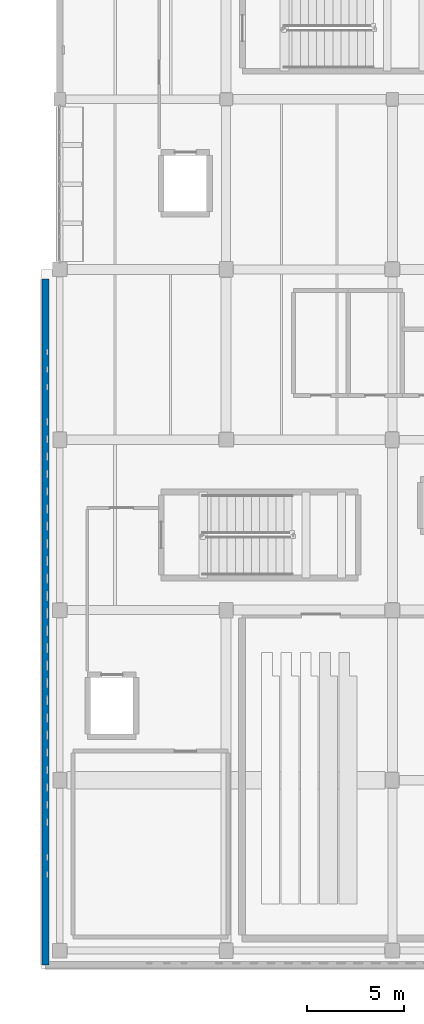
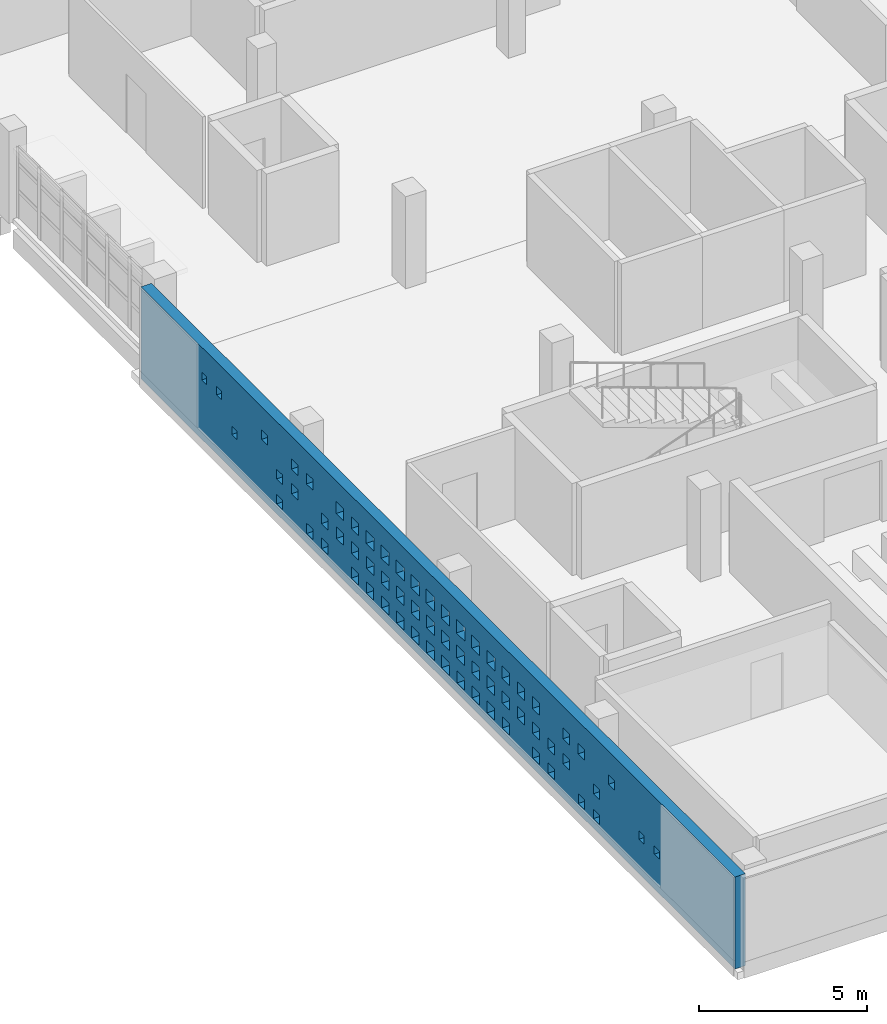
# One storey, part 75 of 93: 1 wall, 63 openings.
"""IFC4 building model written with IfcOpenShell, lengths in metres."""

from ifc_helpers import new_model, si_unit, direction, frame, frame_2d, origin, place, context, subcontext, project, spatial, rectangle, extrude, material, layer, layer_set, type_object, element, save


model = new_model("IFC4")

# Units and contexts
model_context = context("Model", 3, precision=1e-05, world=origin(), true_north=direction((0.0, 1.0)))
body_context = subcontext(model_context, "Body", "Model", "MODEL_VIEW")
ifc_project = project(units=[si_unit("LENGTHUNIT", "METRE"), si_unit("AREAUNIT", "SQUARE_METRE"), si_unit("VOLUMEUNIT", "CUBIC_METRE"), si_unit("PLANEANGLEUNIT", "RADIAN"), si_unit("MASSUNIT", "GRAM", prefix="KILO")], contexts=[model_context])

# Site, building, storey
site_placement = place(None, origin())
site = spatial("IfcSite", under=ifc_project, at=site_placement, CompositionType="ELEMENT")
building_placement = place(site_placement, origin())
building = spatial("IfcBuilding", under=site, at=building_placement, Name="Varnakota Cinema and Media Centre", CompositionType="ELEMENT")
storey_placement = place(building_placement, frame((0.0, 0.0, 12.0)))
storey = spatial("IfcBuildingStorey", under=building, at=storey_placement, Name="L03", CompositionType="ELEMENT", Elevation=12.0)

# Wall, openings
ifc_material = material(Name="Pale Tandur limestone cladding", Category="masonry")
ifc_layer = layer(ifc_material, 0.360107421875)
ifc_layer_set = layer_set([ifc_layer], Name="Pale Tandur limestone cladding")
wall_type = type_object("IfcWallType", Name="W-EXT-TANDUR-360", PredefinedType="SOLIDWALL", material=ifc_layer_set)
wall_placement = place(storey_placement, frame((-0.739990234375, -0.739990234375, 0.0), z_axis=(0.0, 0.0, 1.0), x_axis=(0.0, 1.0, 0.0)))
wall = element("IfcWall", 1, at=wall_placement, inside=storey, type_object=wall_type, Name="L03 V4 pale Tandur stone monolith wall V4-W", PredefinedType="SOLIDWALL", context=body_context, shape_type="SweptSolid", body=[
    extrude(rectangle(XDim=35.43994140625, YDim=0.360107421875, at=frame_2d((17.719970703125, 0.0))), origin(), (0.0, 0.0, 1.0), 3.35009765625),
])
opening_1_placement = place(wall_placement, frame((4.52001953125, 0.0, 1.260009765625)))
element("IfcOpeningElement", 2, at=opening_1_placement, cuts=wall, Name="Opening WP14", PredefinedType="OPENING", context=body_context, shape_type="SweptSolid", body=[
    extrude(rectangle(XDim=0.300048828125, YDim=0.300048828125, at=frame_2d((0.14990234375, 0.14990234375))), frame((0.0, 0.18017578125, 0.0), z_axis=(0.0, -1.0, 0.0), x_axis=(1.0, 0.0, 0.0)), (0.0, 0.0, 1.0), 0.360107421875),
])
opening_2_placement = place(wall_placement, frame((5.419921875, 0.0, 1.260009765625)))
element("IfcOpeningElement", 3, at=opening_2_placement, cuts=wall, Name="Opening WP14", PredefinedType="OPENING", context=body_context, shape_type="SweptSolid", body=[
    extrude(rectangle(XDim=0.300048828125, YDim=0.300048828125, at=frame_2d((0.14990234375, 0.14990234375))), frame((0.0, 0.18017578125, 0.0), z_axis=(0.0, -1.0, 0.0), x_axis=(1.0, 0.0, 0.0)), (0.0, 0.0, 1.0), 0.360107421875),
])
opening_3_placement = place(wall_placement, frame((7.199951171875, 0.0, 2.159912109375)))
element("IfcOpeningElement", 4, at=opening_3_placement, cuts=wall, Name="Opening WP12", PredefinedType="OPENING", context=body_context, shape_type="SweptSolid", body=[
    extrude(rectangle(XDim=0.340087890625, YDim=0.340087890625, at=frame_2d((0.169921875, 0.169921875))), frame((0.0, 0.18017578125, 0.0), z_axis=(0.0, -1.0, 0.0), x_axis=(1.0, 0.0, 0.0)), (0.0, 0.0, 1.0), 0.360107421875),
])
opening_4_placement = place(wall_placement, frame((8.10009765625, 0.0, 0.360107421875)))
element("IfcOpeningElement", 5, at=opening_4_placement, cuts=wall, Name="Opening WP12", PredefinedType="OPENING", context=body_context, shape_type="SweptSolid", body=[
    extrude(rectangle(XDim=0.340087890625, YDim=0.340087890625, at=frame_2d((0.169921875, 0.169921875))), frame((0.0, 0.18017578125, 0.0), z_axis=(0.0, -1.0, 0.0), x_axis=(1.0, 0.0, 0.0)), (0.0, 0.0, 1.0), 0.360107421875),
])
opening_5_placement = place(wall_placement, frame((8.090087890625, 0.0, 1.260009765625)))
element("IfcOpeningElement", 6, at=opening_5_placement, cuts=wall, Name="Opening WP11", PredefinedType="OPENING", context=body_context, shape_type="SweptSolid", body=[
    extrude(rectangle(XDim=0.360107421875, YDim=0.360107421875, at=frame_2d((0.18017578125, 0.18017578125))), frame((0.0, 0.18017578125, 0.0), z_axis=(0.0, -1.0, 0.0), x_axis=(1.0, 0.0, 0.0)), (0.0, 0.0, 1.0), 0.360107421875),
])
opening_6_placement = place(wall_placement, frame((8.989990234375, 0.0, 0.360107421875)))
element("IfcOpeningElement", 7, at=opening_6_placement, cuts=wall, Name="Opening WP11", PredefinedType="OPENING", context=body_context, shape_type="SweptSolid", body=[
    extrude(rectangle(XDim=0.360107421875, YDim=0.360107421875, at=frame_2d((0.18017578125, 0.18017578125))), frame((0.0, 0.18017578125, 0.0), z_axis=(0.0, -1.0, 0.0), x_axis=(1.0, 0.0, 0.0)), (0.0, 0.0, 1.0), 0.360107421875),
])
opening_7_placement = place(wall_placement, frame((8.97998046875, 0.0, 2.159912109375)))
element("IfcOpeningElement", 8, at=opening_7_placement, cuts=wall, Name="Opening WP10", PredefinedType="OPENING", context=body_context, shape_type="SweptSolid", body=[
    extrude(rectangle(XDim=0.3798828125, YDim=0.3798828125, at=frame_2d((0.18994140625, 0.18994140625))), frame((0.0, 0.18017578125, 0.0), z_axis=(0.0, -1.0, 0.0), x_axis=(1.0, 0.0, 0.0)), (0.0, 0.0, 1.0), 0.360107421875),
])
opening_8_placement = place(wall_placement, frame((9.8798828125, 0.0, 1.260009765625)))
element("IfcOpeningElement", 9, at=opening_8_placement, cuts=wall, Name="Opening WP10", PredefinedType="OPENING", context=body_context, shape_type="SweptSolid", body=[
    extrude(rectangle(XDim=0.3798828125, YDim=0.3798828125, at=frame_2d((0.18994140625, 0.18994140625))), frame((0.0, 0.18017578125, 0.0), z_axis=(0.0, -1.0, 0.0), x_axis=(1.0, 0.0, 0.0)), (0.0, 0.0, 1.0), 0.360107421875),
])
opening_9_placement = place(wall_placement, frame((9.8701171875, 0.0, 2.159912109375)))
element("IfcOpeningElement", 10, at=opening_9_placement, cuts=wall, Name="Opening WP09", PredefinedType="OPENING", context=body_context, shape_type="SweptSolid", body=[
    extrude(rectangle(XDim=0.39990234375, YDim=0.39990234375, at=frame_2d((0.199951171875, 0.199951171875))), frame((0.0, 0.18017578125, 0.0), z_axis=(0.0, -1.0, 0.0), x_axis=(1.0, 0.0, 0.0)), (0.0, 0.0, 1.0), 0.360107421875),
])
opening_10_placement = place(wall_placement, frame((10.780029296875, 0.0, 0.360107421875)))
element("IfcOpeningElement", 11, at=opening_10_placement, cuts=wall, Name="Opening WP10", PredefinedType="OPENING", context=body_context, shape_type="SweptSolid", body=[
    extrude(rectangle(XDim=0.3798828125, YDim=0.3798828125, at=frame_2d((0.18994140625, 0.18994140625))), frame((0.0, 0.18017578125, 0.0), z_axis=(0.0, -1.0, 0.0), x_axis=(1.0, 0.0, 0.0)), (0.0, 0.0, 1.0), 0.360107421875),
])
opening_11_placement = place(wall_placement, frame((10.77001953125, 0.0, 1.260009765625)))
element("IfcOpeningElement", 12, at=opening_11_placement, cuts=wall, Name="Opening WP09", PredefinedType="OPENING", context=body_context, shape_type="SweptSolid", body=[
    extrude(rectangle(XDim=0.39990234375, YDim=0.39990234375, at=frame_2d((0.199951171875, 0.199951171875))), frame((0.0, 0.18017578125, 0.0), z_axis=(0.0, -1.0, 0.0), x_axis=(1.0, 0.0, 0.0)), (0.0, 0.0, 1.0), 0.360107421875),
])
opening_12_placement = place(wall_placement, frame((11.669921875, 0.0, 0.360107421875)))
element("IfcOpeningElement", 13, at=opening_12_placement, cuts=wall, Name="Opening WP09", PredefinedType="OPENING", context=body_context, shape_type="SweptSolid", body=[
    extrude(rectangle(XDim=0.39990234375, YDim=0.39990234375, at=frame_2d((0.199951171875, 0.199951171875))), frame((0.0, 0.18017578125, 0.0), z_axis=(0.0, -1.0, 0.0), x_axis=(1.0, 0.0, 0.0)), (0.0, 0.0, 1.0), 0.360107421875),
])
opening_13_placement = place(wall_placement, frame((11.659912109375, 0.0, 1.260009765625)))
element("IfcOpeningElement", 14, at=opening_13_placement, cuts=wall, Name="Opening WP08", PredefinedType="OPENING", context=body_context, shape_type="SweptSolid", body=[
    extrude(rectangle(XDim=0.419921875, YDim=0.419921875, at=frame_2d((0.2099609375, 0.2099609375))), frame((0.0, 0.18017578125, 0.0), z_axis=(0.0, -1.0, 0.0), x_axis=(1.0, 0.0, 0.0)), (0.0, 0.0, 1.0), 0.360107421875),
])
opening_14_placement = place(wall_placement, frame((11.64990234375, 0.0, 2.159912109375)))
element("IfcOpeningElement", 15, at=opening_14_placement, cuts=wall, Name="Opening WP07", PredefinedType="OPENING", context=body_context, shape_type="SweptSolid", body=[
    extrude(rectangle(XDim=0.43994140625, YDim=0.43994140625, at=frame_2d((0.219970703125, 0.219970703125))), frame((0.0, 0.18017578125, 0.0), z_axis=(0.0, -1.0, 0.0), x_axis=(1.0, 0.0, 0.0)), (0.0, 0.0, 1.0), 0.360107421875),
])
opening_15_placement = place(wall_placement, frame((12.550048828125, 0.0, 1.260009765625)))
element("IfcOpeningElement", 16, at=opening_15_placement, cuts=wall, Name="Opening WP07", PredefinedType="OPENING", context=body_context, shape_type="SweptSolid", body=[
    extrude(rectangle(XDim=0.43994140625, YDim=0.43994140625, at=frame_2d((0.219970703125, 0.219970703125))), frame((0.0, 0.18017578125, 0.0), z_axis=(0.0, -1.0, 0.0), x_axis=(1.0, 0.0, 0.0)), (0.0, 0.0, 1.0), 0.360107421875),
])
opening_16_placement = place(wall_placement, frame((12.550048828125, 0.0, 2.159912109375)))
element("IfcOpeningElement", 17, at=opening_16_placement, cuts=wall, Name="Opening WP07", PredefinedType="OPENING", context=body_context, shape_type="SweptSolid", body=[
    extrude(rectangle(XDim=0.43994140625, YDim=0.43994140625, at=frame_2d((0.219970703125, 0.219970703125))), frame((0.0, 0.18017578125, 0.0), z_axis=(0.0, -1.0, 0.0), x_axis=(1.0, 0.0, 0.0)), (0.0, 0.0, 1.0), 0.360107421875),
])
opening_17_placement = place(wall_placement, frame((13.4599609375, 0.0, 0.360107421875)))
element("IfcOpeningElement", 18, at=opening_17_placement, cuts=wall, Name="Opening WP08", PredefinedType="OPENING", context=body_context, shape_type="SweptSolid", body=[
    extrude(rectangle(XDim=0.419921875, YDim=0.419921875, at=frame_2d((0.2099609375, 0.2099609375))), frame((0.0, 0.18017578125, 0.0), z_axis=(0.0, -1.0, 0.0), x_axis=(1.0, 0.0, 0.0)), (0.0, 0.0, 1.0), 0.360107421875),
])
opening_18_placement = place(wall_placement, frame((13.449951171875, 0.0, 1.260009765625)))
element("IfcOpeningElement", 19, at=opening_18_placement, cuts=wall, Name="Opening WP07", PredefinedType="OPENING", context=body_context, shape_type="SweptSolid", body=[
    extrude(rectangle(XDim=0.43994140625, YDim=0.43994140625, at=frame_2d((0.219970703125, 0.219970703125))), frame((0.0, 0.18017578125, 0.0), z_axis=(0.0, -1.0, 0.0), x_axis=(1.0, 0.0, 0.0)), (0.0, 0.0, 1.0), 0.360107421875),
])
opening_19_placement = place(wall_placement, frame((13.43994140625, 0.0, 2.159912109375)))
element("IfcOpeningElement", 20, at=opening_19_placement, cuts=wall, Name="Opening WP06", PredefinedType="OPENING", context=body_context, shape_type="SweptSolid", body=[
    extrude(rectangle(XDim=0.4599609375, YDim=0.4599609375, at=frame_2d((0.22998046875, 0.22998046875))), frame((0.0, 0.18017578125, 0.0), z_axis=(0.0, -1.0, 0.0), x_axis=(1.0, 0.0, 0.0)), (0.0, 0.0, 1.0), 0.360107421875),
])
opening_20_placement = place(wall_placement, frame((14.35009765625, 0.0, 0.360107421875)))
element("IfcOpeningElement", 21, at=opening_20_placement, cuts=wall, Name="Opening WP07", PredefinedType="OPENING", context=body_context, shape_type="SweptSolid", body=[
    extrude(rectangle(XDim=0.43994140625, YDim=0.43994140625, at=frame_2d((0.219970703125, 0.219970703125))), frame((0.0, 0.18017578125, 0.0), z_axis=(0.0, -1.0, 0.0), x_axis=(1.0, 0.0, 0.0)), (0.0, 0.0, 1.0), 0.360107421875),
])
opening_21_placement = place(wall_placement, frame((14.340087890625, 0.0, 1.260009765625)))
element("IfcOpeningElement", 22, at=opening_21_placement, cuts=wall, Name="Opening WP06", PredefinedType="OPENING", context=body_context, shape_type="SweptSolid", body=[
    extrude(rectangle(XDim=0.4599609375, YDim=0.4599609375, at=frame_2d((0.22998046875, 0.22998046875))), frame((0.0, 0.18017578125, 0.0), z_axis=(0.0, -1.0, 0.0), x_axis=(1.0, 0.0, 0.0)), (0.0, 0.0, 1.0), 0.360107421875),
])
opening_22_placement = place(wall_placement, frame((14.330078125, 0.0, 2.159912109375)))
element("IfcOpeningElement", 23, at=opening_22_placement, cuts=wall, Name="Opening WP05", PredefinedType="OPENING", context=body_context, shape_type="SweptSolid", body=[
    extrude(rectangle(XDim=0.47998046875, YDim=0.47998046875, at=frame_2d((0.239990234375, 0.239990234375))), frame((0.0, 0.18017578125, 0.0), z_axis=(0.0, -1.0, 0.0), x_axis=(1.0, 0.0, 0.0)), (0.0, 0.0, 1.0), 0.360107421875),
])
opening_23_placement = place(wall_placement, frame((15.25, 0.0, 0.360107421875)))
element("IfcOpeningElement", 24, at=opening_23_placement, cuts=wall, Name="Opening WP07", PredefinedType="OPENING", context=body_context, shape_type="SweptSolid", body=[
    extrude(rectangle(XDim=0.43994140625, YDim=0.43994140625, at=frame_2d((0.219970703125, 0.219970703125))), frame((0.0, 0.18017578125, 0.0), z_axis=(0.0, -1.0, 0.0), x_axis=(1.0, 0.0, 0.0)), (0.0, 0.0, 1.0), 0.360107421875),
])
opening_24_placement = place(wall_placement, frame((15.239990234375, 0.0, 1.260009765625)))
element("IfcOpeningElement", 25, at=opening_24_placement, cuts=wall, Name="Opening WP06", PredefinedType="OPENING", context=body_context, shape_type="SweptSolid", body=[
    extrude(rectangle(XDim=0.4599609375, YDim=0.4599609375, at=frame_2d((0.22998046875, 0.22998046875))), frame((0.0, 0.18017578125, 0.0), z_axis=(0.0, -1.0, 0.0), x_axis=(1.0, 0.0, 0.0)), (0.0, 0.0, 1.0), 0.360107421875),
])
opening_25_placement = place(wall_placement, frame((15.22998046875, 0.0, 2.159912109375)))
element("IfcOpeningElement", 26, at=opening_25_placement, cuts=wall, Name="Opening WP05", PredefinedType="OPENING", context=body_context, shape_type="SweptSolid", body=[
    extrude(rectangle(XDim=0.47998046875, YDim=0.47998046875, at=frame_2d((0.239990234375, 0.239990234375))), frame((0.0, 0.18017578125, 0.0), z_axis=(0.0, -1.0, 0.0), x_axis=(1.0, 0.0, 0.0)), (0.0, 0.0, 1.0), 0.360107421875),
])
opening_26_placement = place(wall_placement, frame((16.14990234375, 0.0, 0.360107421875)))
element("IfcOpeningElement", 27, at=opening_26_placement, cuts=wall, Name="Opening WP07", PredefinedType="OPENING", context=body_context, shape_type="SweptSolid", body=[
    extrude(rectangle(XDim=0.43994140625, YDim=0.43994140625, at=frame_2d((0.219970703125, 0.219970703125))), frame((0.0, 0.18017578125, 0.0), z_axis=(0.0, -1.0, 0.0), x_axis=(1.0, 0.0, 0.0)), (0.0, 0.0, 1.0), 0.360107421875),
])
opening_27_placement = place(wall_placement, frame((16.1298828125, 0.0, 1.260009765625)))
element("IfcOpeningElement", 28, at=opening_27_placement, cuts=wall, Name="Opening WP05", PredefinedType="OPENING", context=body_context, shape_type="SweptSolid", body=[
    extrude(rectangle(XDim=0.47998046875, YDim=0.47998046875, at=frame_2d((0.239990234375, 0.239990234375))), frame((0.0, 0.18017578125, 0.0), z_axis=(0.0, -1.0, 0.0), x_axis=(1.0, 0.0, 0.0)), (0.0, 0.0, 1.0), 0.360107421875),
])
opening_28_placement = place(wall_placement, frame((16.1201171875, 0.0, 2.159912109375)))
element("IfcOpeningElement", 29, at=opening_28_placement, cuts=wall, Name="Opening WP04", PredefinedType="OPENING", context=body_context, shape_type="SweptSolid", body=[
    extrude(rectangle(XDim=0.5, YDim=0.5, at=frame_2d((0.25, 0.25))), frame((0.0, 0.18017578125, 0.0), z_axis=(0.0, -1.0, 0.0), x_axis=(1.0, 0.0, 0.0)), (0.0, 0.0, 1.0), 0.360107421875),
])
opening_29_placement = place(wall_placement, frame((17.0400390625, 0.0, 0.360107421875)))
element("IfcOpeningElement", 30, at=opening_29_placement, cuts=wall, Name="Opening WP06", PredefinedType="OPENING", context=body_context, shape_type="SweptSolid", body=[
    extrude(rectangle(XDim=0.4599609375, YDim=0.4599609375, at=frame_2d((0.22998046875, 0.22998046875))), frame((0.0, 0.18017578125, 0.0), z_axis=(0.0, -1.0, 0.0), x_axis=(1.0, 0.0, 0.0)), (0.0, 0.0, 1.0), 0.360107421875),
])
opening_30_placement = place(wall_placement, frame((17.030029296875, 0.0, 1.260009765625)))
element("IfcOpeningElement", 31, at=opening_30_placement, cuts=wall, Name="Opening WP05", PredefinedType="OPENING", context=body_context, shape_type="SweptSolid", body=[
    extrude(rectangle(XDim=0.47998046875, YDim=0.47998046875, at=frame_2d((0.239990234375, 0.239990234375))), frame((0.0, 0.18017578125, 0.0), z_axis=(0.0, -1.0, 0.0), x_axis=(1.0, 0.0, 0.0)), (0.0, 0.0, 1.0), 0.360107421875),
])
opening_31_placement = place(wall_placement, frame((17.02001953125, 0.0, 2.159912109375)))
element("IfcOpeningElement", 32, at=opening_31_placement, cuts=wall, Name="Opening WP04", PredefinedType="OPENING", context=body_context, shape_type="SweptSolid", body=[
    extrude(rectangle(XDim=0.5, YDim=0.5, at=frame_2d((0.25, 0.25))), frame((0.0, 0.18017578125, 0.0), z_axis=(0.0, -1.0, 0.0), x_axis=(1.0, 0.0, 0.0)), (0.0, 0.0, 1.0), 0.360107421875),
])
opening_32_placement = place(wall_placement, frame((17.93994140625, 0.0, 0.360107421875)))
element("IfcOpeningElement", 33, at=opening_32_placement, cuts=wall, Name="Opening WP06", PredefinedType="OPENING", context=body_context, shape_type="SweptSolid", body=[
    extrude(rectangle(XDim=0.4599609375, YDim=0.4599609375, at=frame_2d((0.22998046875, 0.22998046875))), frame((0.0, 0.18017578125, 0.0), z_axis=(0.0, -1.0, 0.0), x_axis=(1.0, 0.0, 0.0)), (0.0, 0.0, 1.0), 0.360107421875),
])
opening_33_placement = place(wall_placement, frame((17.929931640625, 0.0, 1.260009765625)))
element("IfcOpeningElement", 34, at=opening_33_placement, cuts=wall, Name="Opening WP05", PredefinedType="OPENING", context=body_context, shape_type="SweptSolid", body=[
    extrude(rectangle(XDim=0.47998046875, YDim=0.47998046875, at=frame_2d((0.239990234375, 0.239990234375))), frame((0.0, 0.18017578125, 0.0), z_axis=(0.0, -1.0, 0.0), x_axis=(1.0, 0.0, 0.0)), (0.0, 0.0, 1.0), 0.360107421875),
])
opening_34_placement = place(wall_placement, frame((17.919921875, 0.0, 2.159912109375)))
element("IfcOpeningElement", 35, at=opening_34_placement, cuts=wall, Name="Opening WP04", PredefinedType="OPENING", context=body_context, shape_type="SweptSolid", body=[
    extrude(rectangle(XDim=0.5, YDim=0.5, at=frame_2d((0.25, 0.25))), frame((0.0, 0.18017578125, 0.0), z_axis=(0.0, -1.0, 0.0), x_axis=(1.0, 0.0, 0.0)), (0.0, 0.0, 1.0), 0.360107421875),
])
opening_35_placement = place(wall_placement, frame((18.85009765625, 0.0, 0.360107421875)))
element("IfcOpeningElement", 36, at=opening_35_placement, cuts=wall, Name="Opening WP07", PredefinedType="OPENING", context=body_context, shape_type="SweptSolid", body=[
    extrude(rectangle(XDim=0.43994140625, YDim=0.43994140625, at=frame_2d((0.219970703125, 0.219970703125))), frame((0.0, 0.18017578125, 0.0), z_axis=(0.0, -1.0, 0.0), x_axis=(1.0, 0.0, 0.0)), (0.0, 0.0, 1.0), 0.360107421875),
])
opening_36_placement = place(wall_placement, frame((18.830078125, 0.0, 1.260009765625)))
element("IfcOpeningElement", 37, at=opening_36_placement, cuts=wall, Name="Opening WP05", PredefinedType="OPENING", context=body_context, shape_type="SweptSolid", body=[
    extrude(rectangle(XDim=0.47998046875, YDim=0.47998046875, at=frame_2d((0.239990234375, 0.239990234375))), frame((0.0, 0.18017578125, 0.0), z_axis=(0.0, -1.0, 0.0), x_axis=(1.0, 0.0, 0.0)), (0.0, 0.0, 1.0), 0.360107421875),
])
opening_37_placement = place(wall_placement, frame((18.820068359375, 0.0, 2.159912109375)))
element("IfcOpeningElement", 38, at=opening_37_placement, cuts=wall, Name="Opening WP04", PredefinedType="OPENING", context=body_context, shape_type="SweptSolid", body=[
    extrude(rectangle(XDim=0.5, YDim=0.5, at=frame_2d((0.25, 0.25))), frame((0.0, 0.18017578125, 0.0), z_axis=(0.0, -1.0, 0.0), x_axis=(1.0, 0.0, 0.0)), (0.0, 0.0, 1.0), 0.360107421875),
])
opening_38_placement = place(wall_placement, frame((19.75, 0.0, 0.360107421875)))
element("IfcOpeningElement", 39, at=opening_38_placement, cuts=wall, Name="Opening WP07", PredefinedType="OPENING", context=body_context, shape_type="SweptSolid", body=[
    extrude(rectangle(XDim=0.43994140625, YDim=0.43994140625, at=frame_2d((0.219970703125, 0.219970703125))), frame((0.0, 0.18017578125, 0.0), z_axis=(0.0, -1.0, 0.0), x_axis=(1.0, 0.0, 0.0)), (0.0, 0.0, 1.0), 0.360107421875),
])
opening_39_placement = place(wall_placement, frame((19.739990234375, 0.0, 1.260009765625)))
element("IfcOpeningElement", 40, at=opening_39_placement, cuts=wall, Name="Opening WP06", PredefinedType="OPENING", context=body_context, shape_type="SweptSolid", body=[
    extrude(rectangle(XDim=0.4599609375, YDim=0.4599609375, at=frame_2d((0.22998046875, 0.22998046875))), frame((0.0, 0.18017578125, 0.0), z_axis=(0.0, -1.0, 0.0), x_axis=(1.0, 0.0, 0.0)), (0.0, 0.0, 1.0), 0.360107421875),
])
opening_40_placement = place(wall_placement, frame((19.72998046875, 0.0, 2.159912109375)))
element("IfcOpeningElement", 41, at=opening_40_placement, cuts=wall, Name="Opening WP05", PredefinedType="OPENING", context=body_context, shape_type="SweptSolid", body=[
    extrude(rectangle(XDim=0.47998046875, YDim=0.47998046875, at=frame_2d((0.239990234375, 0.239990234375))), frame((0.0, 0.18017578125, 0.0), z_axis=(0.0, -1.0, 0.0), x_axis=(1.0, 0.0, 0.0)), (0.0, 0.0, 1.0), 0.360107421875),
])
opening_41_placement = place(wall_placement, frame((20.64990234375, 0.0, 0.360107421875)))
element("IfcOpeningElement", 42, at=opening_41_placement, cuts=wall, Name="Opening WP07", PredefinedType="OPENING", context=body_context, shape_type="SweptSolid", body=[
    extrude(rectangle(XDim=0.43994140625, YDim=0.43994140625, at=frame_2d((0.219970703125, 0.219970703125))), frame((0.0, 0.18017578125, 0.0), z_axis=(0.0, -1.0, 0.0), x_axis=(1.0, 0.0, 0.0)), (0.0, 0.0, 1.0), 0.360107421875),
])
opening_42_placement = place(wall_placement, frame((20.639892578125, 0.0, 1.260009765625)))
element("IfcOpeningElement", 43, at=opening_42_placement, cuts=wall, Name="Opening WP06", PredefinedType="OPENING", context=body_context, shape_type="SweptSolid", body=[
    extrude(rectangle(XDim=0.4599609375, YDim=0.4599609375, at=frame_2d((0.22998046875, 0.22998046875))), frame((0.0, 0.18017578125, 0.0), z_axis=(0.0, -1.0, 0.0), x_axis=(1.0, 0.0, 0.0)), (0.0, 0.0, 1.0), 0.360107421875),
])
opening_43_placement = place(wall_placement, frame((20.6298828125, 0.0, 2.159912109375)))
element("IfcOpeningElement", 44, at=opening_43_placement, cuts=wall, Name="Opening WP05", PredefinedType="OPENING", context=body_context, shape_type="SweptSolid", body=[
    extrude(rectangle(XDim=0.47998046875, YDim=0.47998046875, at=frame_2d((0.239990234375, 0.239990234375))), frame((0.0, 0.18017578125, 0.0), z_axis=(0.0, -1.0, 0.0), x_axis=(1.0, 0.0, 0.0)), (0.0, 0.0, 1.0), 0.360107421875),
])
opening_44_placement = place(wall_placement, frame((21.56005859375, 0.0, 0.360107421875)))
element("IfcOpeningElement", 45, at=opening_44_placement, cuts=wall, Name="Opening WP08", PredefinedType="OPENING", context=body_context, shape_type="SweptSolid", body=[
    extrude(rectangle(XDim=0.419921875, YDim=0.419921875, at=frame_2d((0.2099609375, 0.2099609375))), frame((0.0, 0.18017578125, 0.0), z_axis=(0.0, -1.0, 0.0), x_axis=(1.0, 0.0, 0.0)), (0.0, 0.0, 1.0), 0.360107421875),
])
opening_45_placement = place(wall_placement, frame((21.550048828125, 0.0, 1.260009765625)))
element("IfcOpeningElement", 46, at=opening_45_placement, cuts=wall, Name="Opening WP07", PredefinedType="OPENING", context=body_context, shape_type="SweptSolid", body=[
    extrude(rectangle(XDim=0.43994140625, YDim=0.43994140625, at=frame_2d((0.219970703125, 0.219970703125))), frame((0.0, 0.18017578125, 0.0), z_axis=(0.0, -1.0, 0.0), x_axis=(1.0, 0.0, 0.0)), (0.0, 0.0, 1.0), 0.360107421875),
])
opening_46_placement = place(wall_placement, frame((21.5400390625, 0.0, 2.159912109375)))
element("IfcOpeningElement", 47, at=opening_46_placement, cuts=wall, Name="Opening WP06", PredefinedType="OPENING", context=body_context, shape_type="SweptSolid", body=[
    extrude(rectangle(XDim=0.4599609375, YDim=0.4599609375, at=frame_2d((0.22998046875, 0.22998046875))), frame((0.0, 0.18017578125, 0.0), z_axis=(0.0, -1.0, 0.0), x_axis=(1.0, 0.0, 0.0)), (0.0, 0.0, 1.0), 0.360107421875),
])
opening_47_placement = place(wall_placement, frame((22.4599609375, 0.0, 0.360107421875)))
element("IfcOpeningElement", 48, at=opening_47_placement, cuts=wall, Name="Opening WP08", PredefinedType="OPENING", context=body_context, shape_type="SweptSolid", body=[
    extrude(rectangle(XDim=0.419921875, YDim=0.419921875, at=frame_2d((0.2099609375, 0.2099609375))), frame((0.0, 0.18017578125, 0.0), z_axis=(0.0, -1.0, 0.0), x_axis=(1.0, 0.0, 0.0)), (0.0, 0.0, 1.0), 0.360107421875),
])
opening_48_placement = place(wall_placement, frame((22.449951171875, 0.0, 1.260009765625)))
element("IfcOpeningElement", 49, at=opening_48_placement, cuts=wall, Name="Opening WP07", PredefinedType="OPENING", context=body_context, shape_type="SweptSolid", body=[
    extrude(rectangle(XDim=0.43994140625, YDim=0.43994140625, at=frame_2d((0.219970703125, 0.219970703125))), frame((0.0, 0.18017578125, 0.0), z_axis=(0.0, -1.0, 0.0), x_axis=(1.0, 0.0, 0.0)), (0.0, 0.0, 1.0), 0.360107421875),
])
opening_49_placement = place(wall_placement, frame((22.449951171875, 0.0, 2.159912109375)))
element("IfcOpeningElement", 50, at=opening_49_placement, cuts=wall, Name="Opening WP07", PredefinedType="OPENING", context=body_context, shape_type="SweptSolid", body=[
    extrude(rectangle(XDim=0.43994140625, YDim=0.43994140625, at=frame_2d((0.219970703125, 0.219970703125))), frame((0.0, 0.18017578125, 0.0), z_axis=(0.0, -1.0, 0.0), x_axis=(1.0, 0.0, 0.0)), (0.0, 0.0, 1.0), 0.360107421875),
])
opening_50_placement = place(wall_placement, frame((23.360107421875, 0.0, 1.260009765625)))
element("IfcOpeningElement", 51, at=opening_50_placement, cuts=wall, Name="Opening WP08", PredefinedType="OPENING", context=body_context, shape_type="SweptSolid", body=[
    extrude(rectangle(XDim=0.419921875, YDim=0.419921875, at=frame_2d((0.2099609375, 0.2099609375))), frame((0.0, 0.18017578125, 0.0), z_axis=(0.0, -1.0, 0.0), x_axis=(1.0, 0.0, 0.0)), (0.0, 0.0, 1.0), 0.360107421875),
])
opening_51_placement = place(wall_placement, frame((23.35009765625, 0.0, 2.159912109375)))
element("IfcOpeningElement", 52, at=opening_51_placement, cuts=wall, Name="Opening WP07", PredefinedType="OPENING", context=body_context, shape_type="SweptSolid", body=[
    extrude(rectangle(XDim=0.43994140625, YDim=0.43994140625, at=frame_2d((0.219970703125, 0.219970703125))), frame((0.0, 0.18017578125, 0.0), z_axis=(0.0, -1.0, 0.0), x_axis=(1.0, 0.0, 0.0)), (0.0, 0.0, 1.0), 0.360107421875),
])
opening_52_placement = place(wall_placement, frame((24.280029296875, 0.0, 0.360107421875)))
element("IfcOpeningElement", 53, at=opening_52_placement, cuts=wall, Name="Opening WP10", PredefinedType="OPENING", context=body_context, shape_type="SweptSolid", body=[
    extrude(rectangle(XDim=0.3798828125, YDim=0.3798828125, at=frame_2d((0.18994140625, 0.18994140625))), frame((0.0, 0.18017578125, 0.0), z_axis=(0.0, -1.0, 0.0), x_axis=(1.0, 0.0, 0.0)), (0.0, 0.0, 1.0), 0.360107421875),
])
opening_53_placement = place(wall_placement, frame((24.27001953125, 0.0, 1.260009765625)))
element("IfcOpeningElement", 54, at=opening_53_placement, cuts=wall, Name="Opening WP09", PredefinedType="OPENING", context=body_context, shape_type="SweptSolid", body=[
    extrude(rectangle(XDim=0.39990234375, YDim=0.39990234375, at=frame_2d((0.199951171875, 0.199951171875))), frame((0.0, 0.18017578125, 0.0), z_axis=(0.0, -1.0, 0.0), x_axis=(1.0, 0.0, 0.0)), (0.0, 0.0, 1.0), 0.360107421875),
])
opening_54_placement = place(wall_placement, frame((25.179931640625, 0.0, 0.360107421875)))
element("IfcOpeningElement", 55, at=opening_54_placement, cuts=wall, Name="Opening WP10", PredefinedType="OPENING", context=body_context, shape_type="SweptSolid", body=[
    extrude(rectangle(XDim=0.3798828125, YDim=0.3798828125, at=frame_2d((0.18994140625, 0.18994140625))), frame((0.0, 0.18017578125, 0.0), z_axis=(0.0, -1.0, 0.0), x_axis=(1.0, 0.0, 0.0)), (0.0, 0.0, 1.0), 0.360107421875),
])
opening_55_placement = place(wall_placement, frame((25.169921875, 0.0, 2.159912109375)))
element("IfcOpeningElement", 56, at=opening_55_placement, cuts=wall, Name="Opening WP09", PredefinedType="OPENING", context=body_context, shape_type="SweptSolid", body=[
    extrude(rectangle(XDim=0.39990234375, YDim=0.39990234375, at=frame_2d((0.199951171875, 0.199951171875))), frame((0.0, 0.18017578125, 0.0), z_axis=(0.0, -1.0, 0.0), x_axis=(1.0, 0.0, 0.0)), (0.0, 0.0, 1.0), 0.360107421875),
])
opening_56_placement = place(wall_placement, frame((26.080078125, 0.0, 1.260009765625)))
element("IfcOpeningElement", 57, at=opening_56_placement, cuts=wall, Name="Opening WP10", PredefinedType="OPENING", context=body_context, shape_type="SweptSolid", body=[
    extrude(rectangle(XDim=0.3798828125, YDim=0.3798828125, at=frame_2d((0.18994140625, 0.18994140625))), frame((0.0, 0.18017578125, 0.0), z_axis=(0.0, -1.0, 0.0), x_axis=(1.0, 0.0, 0.0)), (0.0, 0.0, 1.0), 0.360107421875),
])
opening_57_placement = place(wall_placement, frame((26.080078125, 0.0, 2.159912109375)))
element("IfcOpeningElement", 58, at=opening_57_placement, cuts=wall, Name="Opening WP10", PredefinedType="OPENING", context=body_context, shape_type="SweptSolid", body=[
    extrude(rectangle(XDim=0.3798828125, YDim=0.3798828125, at=frame_2d((0.18994140625, 0.18994140625))), frame((0.0, 0.18017578125, 0.0), z_axis=(0.0, -1.0, 0.0), x_axis=(1.0, 0.0, 0.0)), (0.0, 0.0, 1.0), 0.360107421875),
])
opening_58_placement = place(wall_placement, frame((27.0, 0.0, 0.360107421875)))
element("IfcOpeningElement", 59, at=opening_58_placement, cuts=wall, Name="Opening WP12", PredefinedType="OPENING", context=body_context, shape_type="SweptSolid", body=[
    extrude(rectangle(XDim=0.340087890625, YDim=0.340087890625, at=frame_2d((0.169921875, 0.169921875))), frame((0.0, 0.18017578125, 0.0), z_axis=(0.0, -1.0, 0.0), x_axis=(1.0, 0.0, 0.0)), (0.0, 0.0, 1.0), 0.360107421875),
])
opening_59_placement = place(wall_placement, frame((26.989990234375, 0.0, 1.260009765625)))
element("IfcOpeningElement", 60, at=opening_59_placement, cuts=wall, Name="Opening WP11", PredefinedType="OPENING", context=body_context, shape_type="SweptSolid", body=[
    extrude(rectangle(XDim=0.360107421875, YDim=0.360107421875, at=frame_2d((0.18017578125, 0.18017578125))), frame((0.0, 0.18017578125, 0.0), z_axis=(0.0, -1.0, 0.0), x_axis=(1.0, 0.0, 0.0)), (0.0, 0.0, 1.0), 0.360107421875),
])
opening_60_placement = place(wall_placement, frame((27.89990234375, 0.0, 2.159912109375)))
element("IfcOpeningElement", 61, at=opening_60_placement, cuts=wall, Name="Opening WP12", PredefinedType="OPENING", context=body_context, shape_type="SweptSolid", body=[
    extrude(rectangle(XDim=0.340087890625, YDim=0.340087890625, at=frame_2d((0.169921875, 0.169921875))), frame((0.0, 0.18017578125, 0.0), z_axis=(0.0, -1.0, 0.0), x_axis=(1.0, 0.0, 0.0)), (0.0, 0.0, 1.0), 0.360107421875),
])
opening_61_placement = place(wall_placement, frame((29.719970703125, 0.0, 1.260009765625)))
element("IfcOpeningElement", 62, at=opening_61_placement, cuts=wall, Name="Opening WP14", PredefinedType="OPENING", context=body_context, shape_type="SweptSolid", body=[
    extrude(rectangle(XDim=0.300048828125, YDim=0.300048828125, at=frame_2d((0.14990234375, 0.14990234375))), frame((0.0, 0.18017578125, 0.0), z_axis=(0.0, -1.0, 0.0), x_axis=(1.0, 0.0, 0.0)), (0.0, 0.0, 1.0), 0.360107421875),
])
opening_62_placement = place(wall_placement, frame((30.6201171875, 0.0, 2.159912109375)))
element("IfcOpeningElement", 63, at=opening_62_placement, cuts=wall, Name="Opening WP14", PredefinedType="OPENING", context=body_context, shape_type="SweptSolid", body=[
    extrude(rectangle(XDim=0.300048828125, YDim=0.300048828125, at=frame_2d((0.14990234375, 0.14990234375))), frame((0.0, 0.18017578125, 0.0), z_axis=(0.0, -1.0, 0.0), x_axis=(1.0, 0.0, 0.0)), (0.0, 0.0, 1.0), 0.360107421875),
])
opening_63_placement = place(wall_placement, frame((31.530029296875, 0.0, 2.159912109375)))
element("IfcOpeningElement", 64, at=opening_63_placement, cuts=wall, Name="Opening WP15", PredefinedType="OPENING", context=body_context, shape_type="SweptSolid", body=[
    extrude(rectangle(XDim=0.280029296875, YDim=0.280029296875, at=frame_2d((0.14013671875, 0.14013671875))), frame((0.0, 0.18017578125, 0.0), z_axis=(0.0, -1.0, 0.0), x_axis=(1.0, 0.0, 0.0)), (0.0, 0.0, 1.0), 0.360107421875),
])

save(model, "model.ifc")
